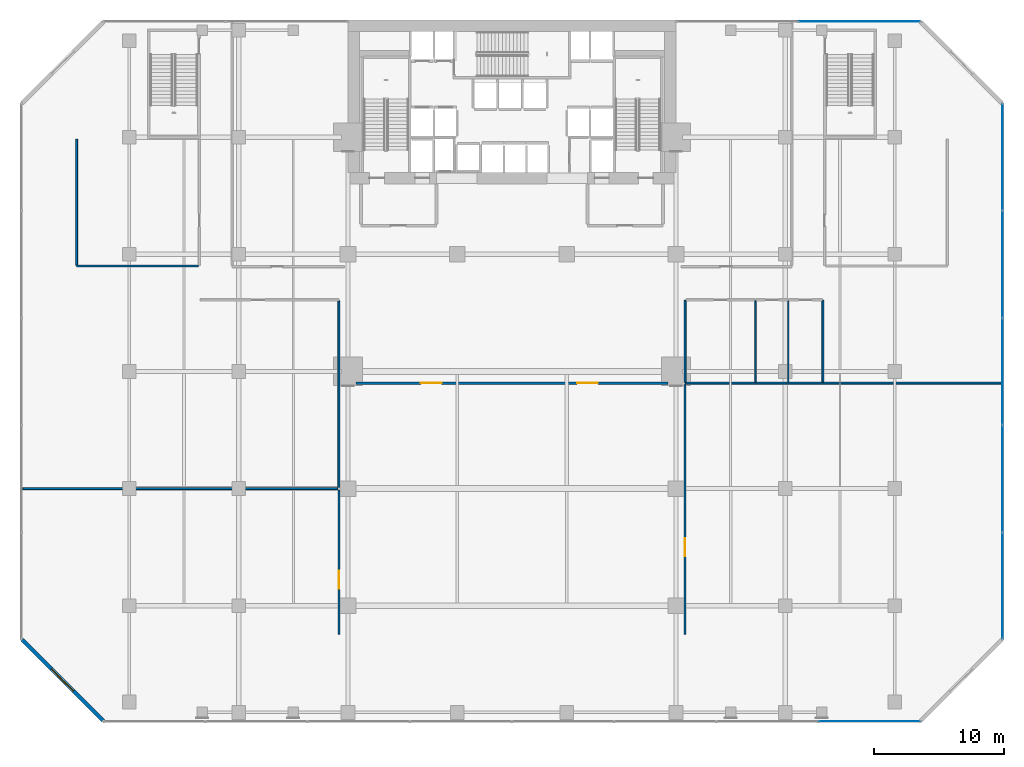
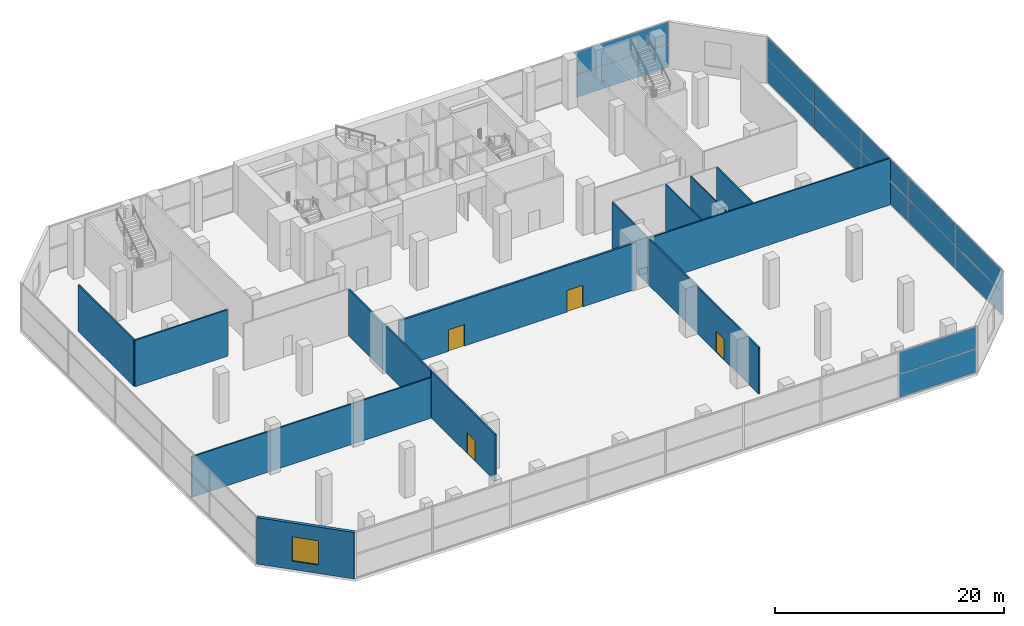
# One storey, part 34 of 40: 14 plates, 13 walls, 4 doors, 1 window, 5 openings, 3 elements without a shape of their own.
"""IFC4 building model written with IfcOpenShell, lengths in metres."""

from ifc_helpers import new_model, si_unit, direction, frame, frame_2d, origin, origin_2d, place, context, subcontext, project, spatial, rectangle, extrude, material, layer, layer_set, type_object, element, fill, aggregate, save


model = new_model("IFC4")

# Units and contexts
model_context = context("Model", 3, precision=1e-05, world=origin(), true_north=direction((0.0, 1.0)))
body_context = subcontext(model_context, "Body", "Model", "MODEL_VIEW")
ifc_project = project(units=[si_unit("LENGTHUNIT", "METRE"), si_unit("AREAUNIT", "SQUARE_METRE"), si_unit("VOLUMEUNIT", "CUBIC_METRE"), si_unit("PLANEANGLEUNIT", "RADIAN"), si_unit("MASSUNIT", "GRAM", prefix="KILO")], contexts=[model_context])

# Site, building, storey
site_placement = place(None, origin())
site = spatial("IfcSite", under=ifc_project, at=site_placement, CompositionType="ELEMENT")
building_placement = place(site_placement, origin())
building = spatial("IfcBuilding", under=site, at=building_placement, Name="Maruvema Waterfront Hotel and Observation Tower", CompositionType="ELEMENT")
storey_placement = place(building_placement, frame((0.0, 0.0, 5.60009765625)))
storey = spatial("IfcBuildingStorey", under=building, at=storey_placement, Name="L01", CompositionType="ELEMENT", Elevation=5.60009765625)

# Curtain wall, plates
ifc_material_1 = material(Name="Anodised bronze aluminium and solar-control low-E IGU", Category="aluminium")
ifc_layer_1 = layer(ifc_material_1, 0.159912109375, Name="Podium Waterfront Storefront Curtain Wall System CW-01")
ifc_layer_set_1 = layer_set([ifc_layer_1], Name="Anodised bronze aluminium and solar-control low-E IGU")
curtain_wall_type = type_object("IfcCurtainWallType", Name="Podium Waterfront Storefront Curtain Wall System CW-01", PredefinedType="USERDEFINED", material=ifc_layer_set_1)
curtain_wall_1_placement = place(storey_placement, origin())
curtain_wall_1 = element("IfcCurtainWall", 1, at=curtain_wall_1_placement, inside=storey, type_object=curtain_wall_type, Name="L01 Curtain Wall CW-L01-S", ObjectType="UNITISED CURTAIN WALL", PredefinedType="USERDEFINED")
ifc_material_2 = material(Name="Laminated low-E solar-control double glazing", Category="glass")
ifc_layer_2 = layer(ifc_material_2, 0.035888671875, Name="Solar Control Double-Glazed Curtain Panel 36 mm")
ifc_layer_set_2 = layer_set([ifc_layer_2], Name="Laminated low-E solar-control double glazing")
plate_type = type_object("IfcPlateType", Name="Solar Control Double-Glazed Curtain Panel 36 mm", PredefinedType="CURTAIN_PANEL", material=ifc_layer_set_2)
plate_1_placement = place(storey_placement, frame((65.260009765625, 0.1201171875, 0.059814453125), z_axis=(0.0, 0.0, 1.0), x_axis=(1.0, 0.0, 0.0)))
plate_1 = element("IfcPlate", 2, at=plate_1_placement, type_object=plate_type, Name="CW-01 panel 8.1", PredefinedType="CURTAIN_PANEL", context=body_context, shape_type="SweptSolid", body=[
    extrude(rectangle(XDim=7.760009765625, YDim=0.028076171875, at=origin_2d()), origin(), (0.0, 0.0, 1.0), 2.4599609375),
])
plate_2_placement = place(storey_placement, frame((65.260009765625, 0.1201171875, 2.579833984375), z_axis=(0.0, 0.0, 1.0), x_axis=(1.0, 0.0, 0.0)))
plate_2 = element("IfcPlate", 3, at=plate_2_placement, type_object=plate_type, Name="CW-01 panel 8.2", PredefinedType="CURTAIN_PANEL", context=body_context, shape_type="SweptSolid", body=[
    extrude(rectangle(XDim=7.760009765625, YDim=0.028076171875, at=origin_2d()), origin(), (0.0, 0.0, 1.0), 2.330078125),
])
aggregate(curtain_wall_1, [plate_1, plate_2])

curtain_wall_2_placement = place(storey_placement, origin())
curtain_wall_2 = element("IfcCurtainWall", 4, at=curtain_wall_2_placement, inside=storey, type_object=curtain_wall_type, Name="L01 Curtain Wall CW-L01-E", ObjectType="UNITISED CURTAIN WALL", PredefinedType="USERDEFINED")
plate_3_placement = place(storey_placement, frame((75.47998046875, 10.534912109375, 0.059814453125), z_axis=(0.0, 0.0, 1.0), x_axis=(0.0, 1.0, 0.0)))
plate_3 = element("IfcPlate", 5, at=plate_3_placement, type_object=plate_type, Name="CW-01 panel 1.1", PredefinedType="CURTAIN_PANEL", context=body_context, shape_type="SweptSolid", body=[
    extrude(rectangle(XDim=8.14990234375, YDim=0.028076171875, at=origin_2d()), origin(), (0.0, 0.0, 1.0), 2.4599609375),
])
plate_4_placement = place(storey_placement, frame((75.47998046875, 10.534912109375, 2.579833984375), z_axis=(0.0, 0.0, 1.0), x_axis=(0.0, 1.0, 0.0)))
plate_4 = element("IfcPlate", 6, at=plate_4_placement, type_object=plate_type, Name="CW-01 panel 1.2", PredefinedType="CURTAIN_PANEL", context=body_context, shape_type="SweptSolid", body=[
    extrude(rectangle(XDim=8.14990234375, YDim=0.028076171875, at=origin_2d()), origin(), (0.0, 0.0, 1.0), 2.330078125),
])
plate_5_placement = place(storey_placement, frame((75.47998046875, 18.760009765625, 0.059814453125), z_axis=(0.0, 0.0, 1.0), x_axis=(0.0, 1.0, 0.0)))
plate_5 = element("IfcPlate", 7, at=plate_5_placement, type_object=plate_type, Name="CW-01 panel 2.1", PredefinedType="CURTAIN_PANEL", context=body_context, shape_type="SweptSolid", body=[
    extrude(rectangle(XDim=8.179931640625, YDim=0.028076171875, at=origin_2d()), origin(), (0.0, 0.0, 1.0), 2.4599609375),
])
plate_6_placement = place(storey_placement, frame((75.47998046875, 18.760009765625, 2.579833984375), z_axis=(0.0, 0.0, 1.0), x_axis=(0.0, 1.0, 0.0)))
plate_6 = element("IfcPlate", 8, at=plate_6_placement, type_object=plate_type, Name="CW-01 panel 2.2", PredefinedType="CURTAIN_PANEL", context=body_context, shape_type="SweptSolid", body=[
    extrude(rectangle(XDim=8.179931640625, YDim=0.028076171875, at=origin_2d()), origin(), (0.0, 0.0, 1.0), 2.330078125),
])
plate_7_placement = place(storey_placement, frame((75.47998046875, 27.0, 0.059814453125), z_axis=(0.0, 0.0, 1.0), x_axis=(0.0, 1.0, 0.0)))
plate_7 = element("IfcPlate", 9, at=plate_7_placement, type_object=plate_type, Name="CW-01 panel 3.1", PredefinedType="CURTAIN_PANEL", context=body_context, shape_type="SweptSolid", body=[
    extrude(rectangle(XDim=8.179931640625, YDim=0.028076171875, at=origin_2d()), origin(), (0.0, 0.0, 1.0), 2.4599609375),
])
plate_8_placement = place(storey_placement, frame((75.47998046875, 27.0, 2.579833984375), z_axis=(0.0, 0.0, 1.0), x_axis=(0.0, 1.0, 0.0)))
plate_8 = element("IfcPlate", 10, at=plate_8_placement, type_object=plate_type, Name="CW-01 panel 3.2", PredefinedType="CURTAIN_PANEL", context=body_context, shape_type="SweptSolid", body=[
    extrude(rectangle(XDim=8.179931640625, YDim=0.028076171875, at=origin_2d()), origin(), (0.0, 0.0, 1.0), 2.330078125),
])
plate_9_placement = place(storey_placement, frame((75.47998046875, 35.239990234375, 0.059814453125), z_axis=(0.0, 0.0, 1.0), x_axis=(0.0, 1.0, 0.0)))
plate_9 = element("IfcPlate", 11, at=plate_9_placement, type_object=plate_type, Name="CW-01 panel 4.1", PredefinedType="CURTAIN_PANEL", context=body_context, shape_type="SweptSolid", body=[
    extrude(rectangle(XDim=8.179931640625, YDim=0.028076171875, at=origin_2d()), origin(), (0.0, 0.0, 1.0), 2.4599609375),
])
plate_10_placement = place(storey_placement, frame((75.47998046875, 35.239990234375, 2.579833984375), z_axis=(0.0, 0.0, 1.0), x_axis=(0.0, 1.0, 0.0)))
plate_10 = element("IfcPlate", 12, at=plate_10_placement, type_object=plate_type, Name="CW-01 panel 4.2", PredefinedType="CURTAIN_PANEL", context=body_context, shape_type="SweptSolid", body=[
    extrude(rectangle(XDim=8.179931640625, YDim=0.028076171875, at=origin_2d()), origin(), (0.0, 0.0, 1.0), 2.330078125),
])
plate_11_placement = place(storey_placement, frame((75.47998046875, 43.465087890625, 0.059814453125), z_axis=(0.0, 0.0, 1.0), x_axis=(0.0, 1.0, 0.0)))
plate_11 = element("IfcPlate", 13, at=plate_11_placement, type_object=plate_type, Name="CW-01 panel 5.1", PredefinedType="CURTAIN_PANEL", context=body_context, shape_type="SweptSolid", body=[
    extrude(rectangle(XDim=8.14990234375, YDim=0.028076171875, at=origin_2d()), origin(), (0.0, 0.0, 1.0), 2.4599609375),
])
plate_12_placement = place(storey_placement, frame((75.47998046875, 43.465087890625, 2.579833984375), z_axis=(0.0, 0.0, 1.0), x_axis=(0.0, 1.0, 0.0)))
plate_12 = element("IfcPlate", 14, at=plate_12_placement, type_object=plate_type, Name="CW-01 panel 5.2", PredefinedType="CURTAIN_PANEL", context=body_context, shape_type="SweptSolid", body=[
    extrude(rectangle(XDim=8.14990234375, YDim=0.028076171875, at=origin_2d()), origin(), (0.0, 0.0, 1.0), 2.330078125),
])
aggregate(curtain_wall_2, [plate_3, plate_4, plate_5, plate_6, plate_7, plate_8, plate_9, plate_10, plate_11, plate_12])

curtain_wall_3_placement = place(storey_placement, origin())
curtain_wall_3 = element("IfcCurtainWall", 15, at=curtain_wall_3_placement, inside=storey, type_object=curtain_wall_type, Name="L01 Curtain Wall CW-L01-NE", ObjectType="UNITISED CURTAIN WALL", PredefinedType="USERDEFINED")
plate_13_placement = place(storey_placement, frame((64.485107421875, 53.8798828125, 0.059814453125), z_axis=(0.0, 0.0, 1.0), x_axis=(-1.0, 0.0, 0.0)))
plate_13 = element("IfcPlate", 16, at=plate_13_placement, type_object=plate_type, Name="CW-01 panel 1.1", PredefinedType="CURTAIN_PANEL", context=body_context, shape_type="SweptSolid", body=[
    extrude(rectangle(XDim=9.31005859375, YDim=0.028076171875, at=origin_2d()), origin(), (0.0, 0.0, 1.0), 2.4599609375),
])
plate_14_placement = place(storey_placement, frame((64.485107421875, 53.8798828125, 2.579833984375), z_axis=(0.0, 0.0, 1.0), x_axis=(-1.0, 0.0, 0.0)))
plate_14 = element("IfcPlate", 17, at=plate_14_placement, type_object=plate_type, Name="CW-01 panel 1.2", PredefinedType="CURTAIN_PANEL", context=body_context, shape_type="SweptSolid", body=[
    extrude(rectangle(XDim=9.31005859375, YDim=0.028076171875, at=origin_2d()), origin(), (0.0, 0.0, 1.0), 2.330078125),
])
aggregate(curtain_wall_3, [plate_13, plate_14])

# Wall
ifc_material_3 = material(Name="Twin-stud acoustic gypsum drywall", Category="gypsum")
ifc_layer_3 = layer(ifc_material_3, 0.14990234375, Name="Acoustic Corridor and Suite Demising Wall 150 mm")
ifc_layer_set_3 = layer_set([ifc_layer_3], Name="Twin-stud acoustic gypsum drywall")
wall_type_1 = type_object("IfcWallType", Name="Acoustic Corridor and Suite Demising Wall 150 mm", PredefinedType="PARTITIONING", material=ifc_layer_set_3)
wall_1_placement = place(storey_placement, frame((0.219970703125, 18.0, 0.0), z_axis=(0.0, 0.0, 1.0), x_axis=(1.0, 0.0, 0.0)))
element("IfcWall", 18, at=wall_1_placement, inside=storey, type_object=wall_type_1, Name="L01 L01 West Split 013", PredefinedType="PARTITIONING", context=body_context, shape_type="SweptSolid", body=[
    extrude(rectangle(XDim=24.179931640625, YDim=0.14990234375, at=frame_2d((12.08984375, 0.0))), origin(), (0.0, 0.0, 1.0), 4.3349609375),
])

# Wall, opening, door
wall_2_placement = place(storey_placement, frame((24.5, 6.800048828125, 0.0), z_axis=(0.0, 0.0, 1.0), x_axis=(0.0, 1.0, 0.0)))
wall_2 = element("IfcWall", 19, at=wall_2_placement, inside=storey, type_object=wall_type_1, Name="L01 L01 Kitchen East Wall 015", PredefinedType="PARTITIONING", context=body_context, shape_type="SweptSolid", body=[
    extrude(rectangle(XDim=11.099853515625, YDim=0.14990234375, at=frame_2d((5.5498046875, 0.0))), origin(), (0.0, 0.0, 1.0), 4.969970703125),
])
opening_1_placement = place(wall_2_placement, frame((3.5, 0.0, 0.0)))
opening_1 = element("IfcOpeningElement", 20, at=opening_1_placement, cuts=wall_2, Name="Opening DR-140", PredefinedType="OPENING", context=body_context, shape_type="SweptSolid", body=[
    extrude(rectangle(XDim=1.39990234375, YDim=2.199951171875, at=frame_2d((0.699951171875, 1.10009765625))), frame((0.0, 0.0849609375, 0.0), z_axis=(0.0, -1.0, 0.0), x_axis=(1.0, 0.0, 0.0)), (0.0, 0.0, 1.0), 0.169921875),
])
ifc_material_4 = material(Name="Anodised bronze framed acoustic glass leaf", Category="glass")
door_type_1 = type_object("IfcDoorType", Name="Conference and Restaurant Double Door 1400x2200 mm", OperationType="DOUBLE_DOOR_SINGLE_SWING", PredefinedType="DOOR", material=ifc_material_4)
door_1_placement = place(opening_1_placement, origin())
door_1 = element("IfcDoor", 21, at=door_1_placement, inside=storey, type_object=door_type_1, Name="L01 Banquet Kitchen Door", OperationType="DOUBLE_DOOR_SINGLE_SWING", OverallHeight=2.199951171875, OverallWidth=1.39990234375, PredefinedType="DOOR", context=body_context, shape_type="SweptSolid", body=[
    extrude(rectangle(XDim=1.39990234375, YDim=2.199951171875, at=frame_2d((0.699951171875, 1.10009765625))), frame((0.0, 0.02490234375, 0.0), z_axis=(0.0, -1.0, 0.0), x_axis=(1.0, 0.0, 0.0)), (0.0, 0.0, 1.0), 0.050048828125),
])
fill(opening_1, door_1)

# Walls
wall_3_placement = place(storey_placement, frame((24.5, 18.10009765625, 0.0), z_axis=(0.0, 0.0, 1.0), x_axis=(0.0, 1.0, 0.0)))
element("IfcWall", 22, at=wall_3_placement, inside=storey, type_object=wall_type_1, Name="L01 L01 Boardroom East Wall 016", PredefinedType="PARTITIONING", context=body_context, shape_type="SweptSolid", body=[
    extrude(rectangle(XDim=14.31982421875, YDim=0.14990234375, at=frame_2d((7.159912109375, 0.0))), origin(), (0.0, 0.0, 1.0), 4.969970703125),
])
wall_4_placement = place(storey_placement, frame((4.35009765625, 35.10009765625, 0.0), z_axis=(0.0, 0.0, 1.0), x_axis=(1.0, 0.0, 0.0)))
element("IfcWall", 23, at=wall_4_placement, inside=storey, type_object=wall_type_1, Name="L01 L01 Catering South Wall 020", PredefinedType="PARTITIONING", context=body_context, shape_type="SweptSolid", body=[
    extrude(rectangle(XDim=9.349853515625, YDim=0.14990234375, at=frame_2d((4.6748046875, 0.0))), origin(), (0.0, 0.0, 1.0), 4.969970703125),
])
wall_5_placement = place(storey_placement, frame((4.35009765625, 35.14990234375, 0.0), z_axis=(0.0, 0.0, 1.0), x_axis=(0.0, 1.0, 0.0)))
element("IfcWall", 24, at=wall_5_placement, inside=storey, type_object=wall_type_1, Name="L01 L01 Catering West Wall 021", PredefinedType="PARTITIONING", context=body_context, shape_type="SweptSolid", body=[
    extrude(rectangle(XDim=9.7001953125, YDim=0.14990234375, at=frame_2d((4.85009765625, 0.0))), origin(), (0.0, 0.0, 1.0), 4.969970703125),
])
for number, where, z_axis, x_axis, name in (
    (25, (51.10009765625, 26.179931640625, 0.0), (0.0, 0.0, 1.0), (0.0, 1.0, 0.0), "L01 L01 Toilet West Wall 025"),
    (26, (61.679931640625, 26.179931640625, 0.0), (0.0, 0.0, 1.0), (0.0, 1.0, 0.0), "L01 L01 Acc WC East Wall 026"),
):
    element("IfcWall", number, at=place(storey_placement, frame(where, z_axis=z_axis, x_axis=x_axis)), inside=storey, type_object=wall_type_1, Name=name, PredefinedType="PARTITIONING", context=body_context, shape_type="SweptSolid", body=[
        extrude(rectangle(XDim=6.27001953125, YDim=0.14990234375, at=frame_2d((3.135009765625, 0.0))), origin(), (0.0, 0.0, 1.0), 4.969970703125),
    ])

# Wall, opening, door
wall_6_placement = place(storey_placement, frame((51.10009765625, 6.800048828125, 0.0), z_axis=(0.0, 0.0, 1.0), x_axis=(0.0, 1.0, 0.0)))
wall_6 = element("IfcWall", 27, at=wall_6_placement, inside=storey, type_object=wall_type_1, Name="L01 L01 Seminar West Wall 029", PredefinedType="PARTITIONING", context=body_context, shape_type="SweptSolid", body=[
    extrude(rectangle(XDim=19.199951171875, YDim=0.14990234375, at=frame_2d((9.60009765625, 0.0))), origin(), (0.0, 0.0, 1.0), 4.969970703125),
])
opening_2_placement = place(wall_6_placement, frame((6.0, 0.0, 0.0)))
opening_2 = element("IfcOpeningElement", 28, at=opening_2_placement, cuts=wall_6, Name="Opening DR-140", PredefinedType="OPENING", context=body_context, shape_type="SweptSolid", body=[
    extrude(rectangle(XDim=1.39990234375, YDim=2.199951171875, at=frame_2d((0.699951171875, 1.10009765625))), frame((0.0, 0.0849609375, 0.0), z_axis=(0.0, -1.0, 0.0), x_axis=(1.0, 0.0, 0.0)), (0.0, 0.0, 1.0), 0.169921875),
])
door_2_placement = place(opening_2_placement, frame((1.39990234375, 0.0, 0.0), z_axis=(0.0, 0.0, 1.0), x_axis=(-1.0, 0.0, 0.0)))
door_2 = element("IfcDoor", 29, at=door_2_placement, inside=storey, type_object=door_type_1, Name="L01 Seminar Door", OperationType="DOUBLE_DOOR_SINGLE_SWING", OverallHeight=2.199951171875, OverallWidth=1.39990234375, PredefinedType="DOOR", context=body_context, shape_type="SweptSolid", body=[
    extrude(rectangle(XDim=1.39990234375, YDim=2.199951171875, at=frame_2d((0.699951171875, 1.10009765625))), frame((0.0, 0.02490234375, 0.0), z_axis=(0.0, -1.0, 0.0), x_axis=(1.0, 0.0, 0.0)), (0.0, 0.0, 1.0), 0.050048828125),
])
fill(opening_2, door_2)

# Walls
wall_7_placement = place(storey_placement, frame((51.1201171875, 26.10009765625, 0.0), z_axis=(0.0, 0.0, 1.0), x_axis=(1.0, 0.0, 0.0)))
element("IfcWall", 30, at=wall_7_placement, inside=storey, type_object=wall_type_1, Name="L01 L01 Seminar North Wall 030", PredefinedType="PARTITIONING", context=body_context, shape_type="SweptSolid", body=[
    extrude(rectangle(XDim=24.33984375, YDim=0.14990234375, at=frame_2d((12.169921875, 0.0))), origin(), (0.0, 0.0, 1.0), 4.969970703125),
])
ifc_material_5 = material(Name="Moisture-resistant cement-board drywall", Category="gypsum")
ifc_layer_4 = layer(ifc_material_5, 0.10009765625, Name="En-Suite Moisture-Resistant Partition 100 mm")
ifc_layer_set_4 = layer_set([ifc_layer_4], Name="Moisture-resistant cement-board drywall")
wall_type_2 = type_object("IfcWallType", Name="En-Suite Moisture-Resistant Partition 100 mm", PredefinedType="PARTITIONING", material=ifc_layer_set_4)
for number, where, z_axis, x_axis, name in (
    (31, (56.5, 26.179931640625, 0.0), (0.0, 0.0, 1.0), (0.0, 1.0, 0.0), "L01 L01 WC Split 027"),
    (32, (59.02001953125, 26.179931640625, 0.0), (0.0, 0.0, 1.0), (0.0, 1.0, 0.0), "L01 L01 WC Linen Split 028"),
):
    element("IfcWall", number, at=place(storey_placement, frame(where, z_axis=z_axis, x_axis=x_axis)), inside=storey, type_object=wall_type_2, Name=name, PredefinedType="PARTITIONING", context=body_context, shape_type="SweptSolid", body=[
        extrude(rectangle(XDim=6.239990234375, YDim=0.10009765625, at=frame_2d((3.1201171875, 0.0))), origin(), (0.0, 0.0, 1.0), 4.969970703125),
    ])

# Wall, openings, doors
ifc_material_6 = material(Name="Autoclaved cellular concrete blockwork", Category="masonry")
ifc_layer_5 = layer(ifc_material_6, 0.199951171875, Name="Fire Compartment Masonry Wall 200 mm")
ifc_layer_set_5 = layer_set([ifc_layer_5], Name="Autoclaved cellular concrete blockwork")
wall_type_3 = type_object("IfcWallType", Name="Fire Compartment Masonry Wall 200 mm", PredefinedType="PARTITIONING", material=ifc_layer_set_5)
wall_8_placement = place(storey_placement, frame((25.800048828125, 26.10009765625, 0.0), z_axis=(0.0, 0.0, 1.0), x_axis=(1.0, 0.0, 0.0)))
wall_8 = element("IfcWall", 33, at=wall_8_placement, inside=storey, type_object=wall_type_3, Name="L01 Grand Ballroom North Wall 012", PredefinedType="PARTITIONING", context=body_context, shape_type="SweptSolid", body=[
    extrude(rectangle(XDim=24.0, YDim=0.199951171875, at=frame_2d((12.0, 0.0))), origin(), (0.0, 0.0, 1.0), 4.969970703125),
])
opening_3_placement = place(wall_8_placement, frame((5.0, 0.0, 0.0)))
opening_3 = element("IfcOpeningElement", 34, at=opening_3_placement, cuts=wall_8, Name="Opening DR-160", PredefinedType="OPENING", context=body_context, shape_type="SweptSolid", body=[
    extrude(rectangle(XDim=1.60009765625, YDim=2.300048828125, at=frame_2d((0.800048828125, 1.14990234375))), frame((0.0, 0.10986328125, 0.0), z_axis=(0.0, -1.0, 0.0), x_axis=(1.0, 0.0, 0.0)), (0.0, 0.0, 1.0), 0.219970703125),
])
opening_4_placement = place(wall_8_placement, frame((17.0, 0.0, 0.0)))
opening_4 = element("IfcOpeningElement", 35, at=opening_4_placement, cuts=wall_8, Name="Opening DR-160", PredefinedType="OPENING", context=body_context, shape_type="SweptSolid", body=[
    extrude(rectangle(XDim=1.60009765625, YDim=2.300048828125, at=frame_2d((0.800048828125, 1.14990234375))), frame((0.0, 0.10986328125, 0.0), z_axis=(0.0, -1.0, 0.0), x_axis=(1.0, 0.0, 0.0)), (0.0, 0.0, 1.0), 0.219970703125),
])
ifc_material_7 = material(Name="Acoustic veneered hardwood double leaf", Category="wood")
door_type_2 = type_object("IfcDoorType", Name="Ballroom and Lounge Double Door 1600x2300 mm", OperationType="DOUBLE_DOOR_SINGLE_SWING", PredefinedType="DOOR", material=ifc_material_7)
door_3_placement = place(opening_3_placement, origin())
door_3 = element("IfcDoor", 36, at=door_3_placement, inside=storey, type_object=door_type_2, Name="L01 Ballroom West Double Door", OperationType="DOUBLE_DOOR_SINGLE_SWING", OverallHeight=2.300048828125, OverallWidth=1.60009765625, PredefinedType="DOOR", context=body_context, shape_type="SweptSolid", body=[
    extrude(rectangle(XDim=1.60009765625, YDim=2.300048828125, at=frame_2d((0.800048828125, 1.14990234375))), frame((0.0, 0.02490234375, 0.0), z_axis=(0.0, -1.0, 0.0), x_axis=(1.0, 0.0, 0.0)), (0.0, 0.0, 1.0), 0.050048828125),
])
fill(opening_3, door_3)
door_4_placement = place(opening_4_placement, origin())
door_4 = element("IfcDoor", 37, at=door_4_placement, inside=storey, type_object=door_type_2, Name="L01 Ballroom East Double Door", OperationType="DOUBLE_DOOR_SINGLE_SWING", OverallHeight=2.300048828125, OverallWidth=1.60009765625, PredefinedType="DOOR", context=body_context, shape_type="SweptSolid", body=[
    extrude(rectangle(XDim=1.60009765625, YDim=2.300048828125, at=frame_2d((0.800048828125, 1.14990234375))), frame((0.0, 0.02490234375, 0.0), z_axis=(0.0, -1.0, 0.0), x_axis=(1.0, 0.0, 0.0)), (0.0, 0.0, 1.0), 0.050048828125),
])
fill(opening_4, door_4)

# Wall, opening, window
ifc_material_8 = material(Name="Precast concrete C45/55 with honed Pernambuco granite facing", Category="masonry")
ifc_layer_6 = layer(ifc_material_8, 0.300048828125, Name="Podium Waterfront Granite Colonnade Wall 300 mm")
ifc_layer_set_6 = layer_set([ifc_layer_6], Name="Precast concrete C45/55 with honed Pernambuco granite facing")
wall_type_4 = type_object("IfcWallType", Name="Podium Waterfront Granite Colonnade Wall 300 mm", PredefinedType="SOLIDWALL", material=ifc_layer_set_6)
wall_9_placement = place(storey_placement, frame((0.14990234375, 6.39990234375, 0.0), z_axis=(0.0, 0.0, 1.0), x_axis=(0.707106781187, -0.707106781187, 0.0)))
wall_9 = element("IfcWall", 38, at=wall_9_placement, inside=storey, type_object=wall_type_4, Name="L01 Podium Chamfer Granite Pier Wall SW", PredefinedType="SOLIDWALL", context=body_context, shape_type="SweptSolid", body=[
    extrude(rectangle(XDim=8.8388671875, YDim=0.300048828125, at=frame_2d((4.41943359375, 0.0))), origin(), (0.0, 0.0, 1.0), 4.969970703125),
])
opening_5_placement = place(wall_9_placement, frame((3.199951171875, 0.0, 0.89990234375)))
opening_5 = element("IfcOpeningElement", 39, at=opening_5_placement, cuts=wall_9, Name="Opening WN-04", PredefinedType="OPENING", context=body_context, shape_type="SweptSolid", body=[
    extrude(rectangle(XDim=2.39990234375, YDim=2.60009765625, at=frame_2d((1.199951171875, 1.300048828125))), frame((0.0, 0.16015625, 0.0), z_axis=(0.0, -1.0, 0.0), x_axis=(1.0, 0.0, 0.0)), (0.0, 0.0, 1.0), 0.320068359375),
])
ifc_material_9 = material(Name="Anodised bronze aluminium frame with laminated low-E glass", Category="aluminium")
window_type = type_object("IfcWindowType", Name="Podium Waterfront Punched Window 2400x2600 mm", PartitioningType="SINGLE_PANEL", PredefinedType="WINDOW", material=ifc_material_9)
window_placement = place(opening_5_placement, origin())
window = element("IfcWindow", 40, at=window_placement, inside=storey, type_object=window_type, Name="L01 Podium Chamfer Feature Window SW", OverallHeight=2.60009765625, OverallWidth=2.39990234375, PartitioningType="SINGLE_PANEL", PredefinedType="WINDOW", context=body_context, shape_type="SweptSolid", body=[
    extrude(rectangle(XDim=2.39990234375, YDim=2.60009765625, at=frame_2d((1.199951171875, 1.300048828125))), frame((0.0, 0.030029296875, 0.0), z_axis=(0.0, -1.0, 0.0), x_axis=(1.0, 0.0, 0.0)), (0.0, 0.0, 1.0), 0.06005859375),
])
fill(opening_5, window)

save(model, "model.ifc")
